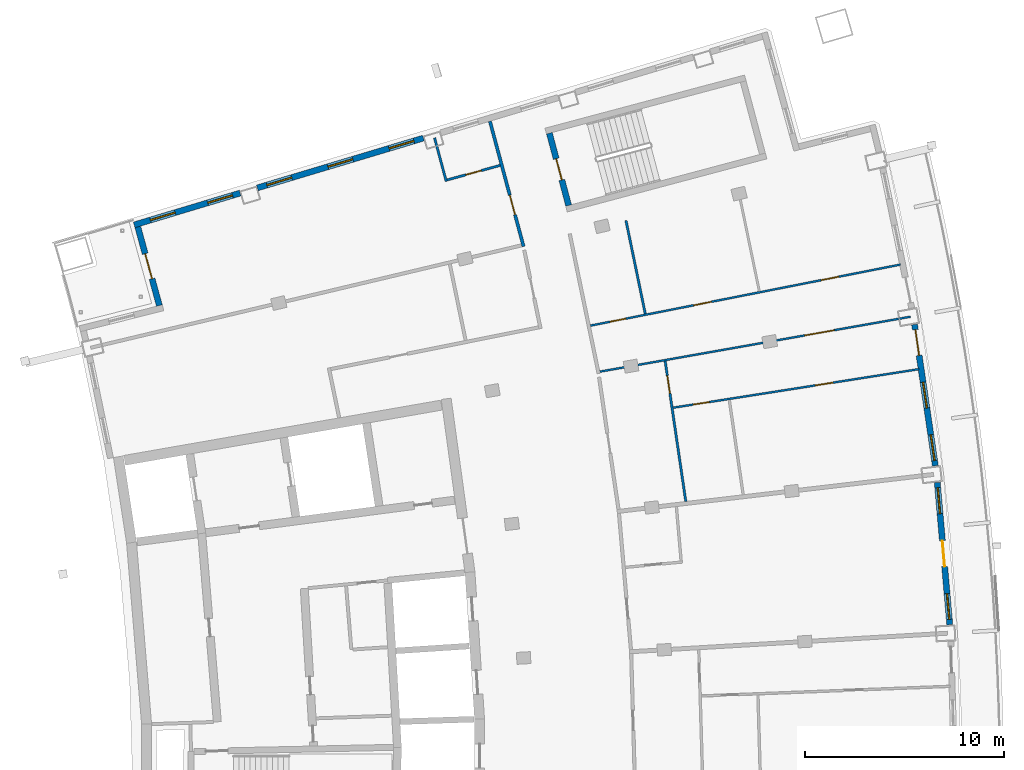
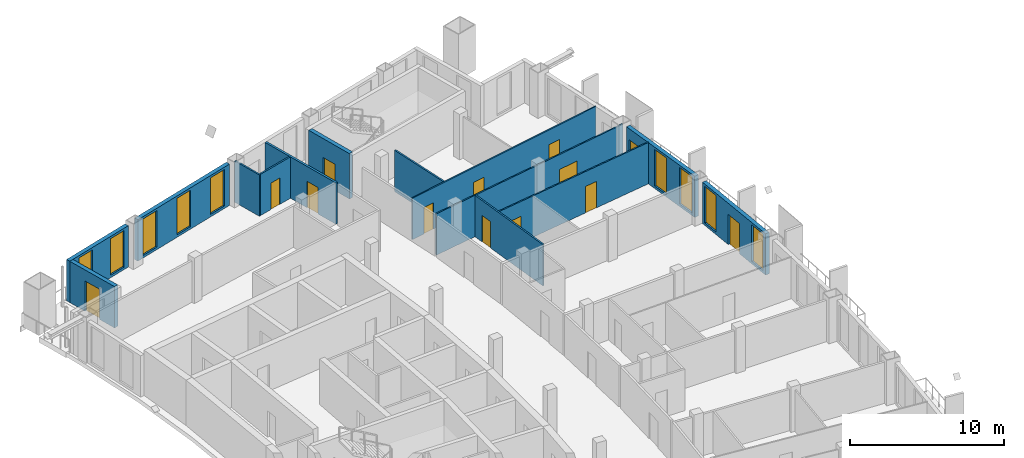
# One storey, part 12 of 15: 14 walls, 13 doors, 9 windows, 22 openings.
"""IFC4 building model written with IfcOpenShell, lengths in metres."""

import ifcopenshell
import ifcopenshell.guid

model = None  # the IFC model being written
_history = None  # IfcOwnerHistory: only IFC2X3 demands one
_inside = {}  # id of a spatial element -> (the spatial element, [elements in it])
_under = {}  # id of a project, library or spatial element -> (it, [spatial elements below it])
_declared = {}  # id of a project -> (the project, [libraries it declares])
_typed = {}  # id of a type object -> (the type object, [elements of that type])
_made_of = {}  # id of a material, layer set ... -> (it, [elements and type objects made of it])


def new_model(schema):
    """Start an empty IFC model of exactly this schema.

    Asked for "IFC4X3", IfcOpenShell would pick the latest addendum, in which some entities
    have other attributes; the version numbers below select the first issue.
    IFC2X3 requires an IfcOwnerHistory on every rooted entity: one is made here for all.
    """
    global model, _history
    if schema == "IFC4X3":
        model = ifcopenshell.file(schema_version=(4, 3, 0, 0))
    else:
        model = ifcopenshell.file(schema=schema)
    _inside.clear()
    _under.clear()
    _declared.clear()
    _typed.clear()
    _made_of.clear()
    _history = None
    if model.schema == "IFC2X3":
        org = make("IfcOrganization", Name="unknown")
        user = make(
            "IfcPersonAndOrganization",
            ThePerson=make("IfcPerson", FamilyName="unknown"),
            TheOrganization=org,
        )
        app = make(
            "IfcApplication",
            ApplicationDeveloper=org,
            Version="unknown",
            ApplicationFullName="unknown",
            ApplicationIdentifier="unknown",
        )
        _history = make(
            "IfcOwnerHistory",
            OwningUser=user,
            OwningApplication=app,
            ChangeAction="ADDED",
            CreationDate=0,
        )
    return model


def make(cls, **values):
    """One entity of the class cls with the attributes given. An attribute that is None is left unset."""
    return model.create_entity(
        cls, **{name: value for name, value in values.items() if value is not None}
    )


def rooted(cls, **values):
    """An entity with a GlobalId (a new one), such as an element, a storey or a relation."""
    return make(cls, GlobalId=ifcopenshell.guid.new(), OwnerHistory=_history, **values)


def si_unit(unit_type, name, prefix=None):
    """IfcSIUnit, for example si_unit("LENGTHUNIT", "METRE", prefix="MILLI")."""
    return make("IfcSIUnit", UnitType=unit_type, Prefix=prefix, Name=name)


def assignment(units):
    """IfcUnitAssignment: the units of a project."""
    return None if units is None else make("IfcUnitAssignment", Units=units)


def point(xyz):
    """IfcCartesianPoint."""
    return None if xyz is None else make("IfcCartesianPoint", Coordinates=xyz)


def direction(xyz):
    """IfcDirection."""
    return None if xyz is None else make("IfcDirection", DirectionRatios=xyz)


def frame(location, z_axis=None, x_axis=None):
    """IfcAxis2Placement3D, a coordinate frame: its origin and axes. An axis left out is left unset."""
    return make(
        "IfcAxis2Placement3D",
        Location=point(location),
        Axis=direction(z_axis),
        RefDirection=direction(x_axis),
    )


def frame_2d(location, x_axis=None):
    """IfcAxis2Placement2D, a coordinate frame in the plane: its origin and x axis."""
    return make(
        "IfcAxis2Placement2D", Location=point(location), RefDirection=direction(x_axis)
    )


def origin():
    """The frame at (0, 0, 0) with its axes left unset."""
    return frame((0.0, 0.0, 0.0))


def place(relative_to, where):
    """IfcLocalPlacement: puts the frame where relative to a parent placement (None: the world)."""
    return make(
        "IfcLocalPlacement", PlacementRelTo=relative_to, RelativePlacement=where
    )


def context(
    kind, dimensions, precision=None, world=None, true_north=None, identifier=None
):
    """IfcGeometricRepresentationContext, for example the 3D "Model" context."""
    return make(
        "IfcGeometricRepresentationContext",
        ContextIdentifier=identifier,
        ContextType=kind,
        CoordinateSpaceDimension=dimensions,
        Precision=precision,
        WorldCoordinateSystem=world,
        TrueNorth=true_north,
    )


def subcontext(parent, identifier, kind, view, scale=None):
    """IfcGeometricRepresentationSubContext, for example "Body" below "Model"."""
    return make(
        "IfcGeometricRepresentationSubContext",
        ContextIdentifier=identifier,
        ContextType=kind,
        ParentContext=parent,
        TargetScale=scale,
        TargetView=view,
    )


def project(units=None, contexts=None):
    """IfcProject with its units and contexts."""
    return rooted(
        "IfcProject",
        Name="project",
        RepresentationContexts=contexts,
        UnitsInContext=assignment(units),
    )


def spatial(cls, under=None, at=None, **own):
    """A site, building, storey or space (cls), placed at a placement, below another one or the project."""
    s = rooted(cls, ObjectPlacement=at, **own)
    if under is not None:
        _under.setdefault(under.id(), (under, []))[1].append(s)
    return s


def profile(cls, at=None, kind="AREA", **sizes):
    """A parametric profile (cls). Its sizes go by their IFC names, for example OverallWidth=200.0."""
    return make(cls, ProfileType=kind, Position=at, **sizes)


def rectangle(**sizes):
    """IfcRectangleProfileDef."""
    return profile("IfcRectangleProfileDef", **sizes)


def extrude(swept, where, along, depth):
    """IfcExtrudedAreaSolid: the profile swept, set in the frame where, extruded along a direction by depth."""
    return make(
        "IfcExtrudedAreaSolid",
        SweptArea=swept,
        Position=where,
        ExtrudedDirection=direction(along),
        Depth=depth,
    )


def shape(context_of_items, identifier, shape_type, items):
    """IfcShapeRepresentation: the items that make up one representation, for example the "Body"."""
    return make(
        "IfcShapeRepresentation",
        ContextOfItems=context_of_items,
        RepresentationIdentifier=identifier,
        RepresentationType=shape_type,
        Items=items,
    )


def material(Name=None, Category=None):
    """IfcMaterial."""
    return make("IfcMaterial", Name=Name, Category=Category)


def layer(
    of_material, thickness, ventilated=None, Name=None, Category=None, Priority=None
):
    """IfcMaterialLayer: one layer of a wall or slab, of a material (None: an air gap)."""
    return make(
        "IfcMaterialLayer",
        Material=of_material,
        LayerThickness=thickness,
        IsVentilated=ventilated,
        Name=Name,
        Category=Category,
        Priority=Priority,
    )


def layer_set(layers, Name=None):
    """IfcMaterialLayerSet."""
    return make("IfcMaterialLayerSet", MaterialLayers=layers, LayerSetName=Name)


def made_of(thing, what):
    """Note that an element or type object is made of a material, layer set ...; save() writes the relation."""
    if what is not None:
        _made_of.setdefault(what.id(), (what, []))[1].append(thing)
    return thing


def type_object(cls, material=None, **own):
    """A type object (cls), such as IfcWallType, which elements share."""
    return made_of(rooted(cls, **own), material)


def element(
    cls,
    number,
    at=None,
    inside=None,
    cuts=None,
    type_object=None,
    material=None,
    context=None,
    identifier="Body",
    shape_type=None,
    held_by="IfcProductDefinitionShape",
    body=None,
    shapes=None,
    **own,
):
    """One element of the class cls, such as IfcWall. Its Tag is "e" and its number.

    at: its placement. inside: the storey or other place that contains it. cuts: it is an
    opening in that element (IfcRelVoidsElement). A single representation is given by context,
    identifier, shape_type and body (its items); several are given by shapes. held_by: the class
    of the entity that holds the representations. save() writes the other relations.
    """
    e = rooted(cls, Tag="e%d" % number, ObjectPlacement=at, **own)
    if body is not None:
        shapes = [shape(context, identifier, shape_type, body)]
    if shapes is not None:
        e.Representation = make(held_by, Representations=shapes)
    if inside is not None:
        _inside.setdefault(inside.id(), (inside, []))[1].append(e)
    if cuts is not None:
        rooted(
            "IfcRelVoidsElement", RelatingBuildingElement=cuts, RelatedOpeningElement=e
        )
    if type_object is not None:
        _typed.setdefault(type_object.id(), (type_object, []))[1].append(e)
    return made_of(e, material)


def fill(opening, filler):
    """IfcRelFillsElement: the door or window that sits in an opening."""
    return rooted(
        "IfcRelFillsElement",
        RelatingOpeningElement=opening,
        RelatedBuildingElement=filler,
    )


def aggregate(whole, parts):
    """IfcRelAggregates: a whole, such as a stair, and the parts it consists of."""
    return rooted("IfcRelAggregates", RelatingObject=whole, RelatedObjects=parts)


def save(model, path):
    """Write the relations noted so far, then the file.

    IfcRelAggregates (storeys below a building ...), IfcRelContainedInSpatialStructure (elements
    in a storey), IfcRelDefinesByType, IfcRelAssociatesMaterial and IfcRelDeclares: one each for
    every whole, place, type object, material and project.
    """
    for whole, parts in _under.values():
        aggregate(whole, parts)
    for where, things in _inside.values():
        rooted(
            "IfcRelContainedInSpatialStructure",
            RelatedElements=things,
            RelatingStructure=where,
        )
    for kind, things in _typed.values():
        rooted("IfcRelDefinesByType", RelatedObjects=things, RelatingType=kind)
    for what, things in _made_of.values():
        rooted("IfcRelAssociatesMaterial", RelatedObjects=things, RelatingMaterial=what)
    for by, libraries in _declared.values():
        rooted("IfcRelDeclares", RelatingContext=by, RelatedDefinitions=libraries)
    model.write(path)


model = new_model("IFC4")

# Units and contexts
model_context = context("Model", 3, precision=1e-05, world=origin(), true_north=direction((0.0, 1.0)))
body_context = subcontext(model_context, "Body", "Model", "MODEL_VIEW")
ifc_project = project(units=[si_unit("LENGTHUNIT", "METRE"), si_unit("AREAUNIT", "SQUARE_METRE"), si_unit("VOLUMEUNIT", "CUBIC_METRE"), si_unit("PLANEANGLEUNIT", "RADIAN"), si_unit("MASSUNIT", "GRAM", prefix="KILO")], contexts=[model_context])

# Site, building, storey
site_placement = place(None, origin())
site = spatial("IfcSite", under=ifc_project, at=site_placement, CompositionType="ELEMENT")
building_placement = place(site_placement, origin())
building = spatial("IfcBuilding", under=site, at=building_placement, Name="Alderwake Tower", CompositionType="ELEMENT")
storey_placement = place(building_placement, frame((0.0, 0.0, 252.800048828125)))
storey = spatial("IfcBuildingStorey", under=building, at=storey_placement, Name="L62", CompositionType="ELEMENT", Elevation=252.800048828125)

# Wall, opening, door
ifc_material_1 = material(Name="Concrete C70/85", Category="concrete")
ifc_layer_1 = layer(ifc_material_1, 0.300048828125)
ifc_layer_set_1 = layer_set([ifc_layer_1], Name="Core wall stair enclosure 300 C70-85")
wall_type_1 = type_object("IfcWallType", Name="Core wall stair enclosure 300 C70-85", PredefinedType="SHEAR", material=ifc_layer_set_1)
wall_1_placement = place(storey_placement, frame((37.8603515625, 90.452392578125, 0.0), z_axis=(0.0, 0.0, 1.0), x_axis=(-0.257411420208, 0.966301899381, 0.0)))
wall_1 = element("IfcWall", 1, at=wall_1_placement, inside=storey, type_object=wall_type_1, Name="Core wall CW.083", PredefinedType="SHEAR", context=body_context, shape_type="SweptSolid", body=[
    extrude(rectangle(XDim=3.750244140625, YDim=0.300048828125, at=frame_2d((1.875, 0.0))), origin(), (0.0, 0.0, 1.0), 3.599853515625),
])
opening_1_placement = place(wall_1_placement, frame((1.324951171875, 0.0, 0.0)))
opening_1 = element("IfcOpeningElement", 2, at=opening_1_placement, cuts=wall_1, Name="Opening C062", PredefinedType="OPENING", context=body_context, shape_type="SweptSolid", body=[
    extrude(rectangle(XDim=1.10009765625, YDim=2.10009765625, at=frame_2d((0.550048828125, 1.050048828125))), frame((0.0, 0.159912109375, 0.0), z_axis=(0.0, -1.0, 0.0), x_axis=(1.0, 0.0, 0.0)), (0.0, 0.0, 1.0), 0.320068359375),
])
ifc_material_2 = material(Name="Steel-framed fire door leaf", Category="steel")
door_type_1 = type_object("IfcDoorType", Name="Core stair door 1100 fire-rated", OperationType="SINGLE_SWING_LEFT", PredefinedType="DOOR", material=ifc_material_2)
door_1_placement = place(opening_1_placement, origin())
door_1 = element("IfcDoor", 3, at=door_1_placement, inside=storey, type_object=door_type_1, Name="Stair door", OperationType="SINGLE_SWING_RIGHT", OverallHeight=2.10009765625, OverallWidth=1.10009765625, PredefinedType="DOOR", context=body_context, shape_type="SweptSolid", body=[
    extrude(rectangle(XDim=1.10009765625, YDim=2.10009765625, at=frame_2d((0.550048828125, 1.050048828125))), frame((0.0, 0.02490234375, 0.0), z_axis=(0.0, -1.0, 0.0), x_axis=(1.0, 0.0, 0.0)), (0.0, 0.0, 1.0), 0.050048828125),
])
fill(opening_1, door_1)

ifc_material_3 = material(Name="Gypsum board on metal studs, rated")
ifc_layer_2 = layer(ifc_material_3, 0.159912109375)
ifc_layer_set_2 = layer_set([ifc_layer_2], Name="Corridor wall 160")
wall_type_2 = type_object("IfcWallType", Name="Corridor wall 160", PredefinedType="PARTITIONING", material=ifc_layer_set_2)
wall_2_placement = place(storey_placement, frame((35.600830078125, 88.392578125, 0.0), z_axis=(0.0, 0.0, 1.0), x_axis=(-0.259509260101, 0.965740619381, 0.0)))
wall_2 = element("IfcWall", 4, at=wall_2_placement, inside=storey, type_object=wall_type_2, Name="WL/L62/W12", PredefinedType="PARTITIONING", context=body_context, shape_type="SweptSolid", body=[
    extrude(rectangle(XDim=6.50732421875, YDim=0.159912109375, at=frame_2d((3.253662109375, 0.0))), origin(), (0.0, 0.0, 1.0), 3.280029296875),
])
opening_2_placement = place(wall_2_placement, frame((1.65771484375, 0.0, 0.0)))
opening_2 = element("IfcOpeningElement", 5, at=opening_2_placement, cuts=wall_2, Name="Opening R17-U09.1", PredefinedType="OPENING", context=body_context, shape_type="SweptSolid", body=[
    extrude(rectangle(XDim=1.0, YDim=2.10009765625, at=frame_2d((0.5, 1.050048828125))), frame((0.0, 0.08984375, 0.0), z_axis=(0.0, -1.0, 0.0), x_axis=(1.0, 0.0, 0.0)), (0.0, 0.0, 1.0), 0.179931640625),
])
ifc_material_4 = material(Name="Solid timber leaf in steel frame", Category="steel")
door_type_2 = type_object("IfcDoorType", Name="Flat entrance door 1000 fire-rated", OperationType="SINGLE_SWING_LEFT", PredefinedType="DOOR", material=ifc_material_4)
door_2_placement = place(opening_2_placement, origin())
door_2 = element("IfcDoor", 6, at=door_2_placement, inside=storey, type_object=door_type_2, Name="DR/L62/U09.1", OperationType="SINGLE_SWING_LEFT", OverallHeight=2.10009765625, OverallWidth=1.0, PredefinedType="DOOR", context=body_context, shape_type="SweptSolid", body=[
    extrude(rectangle(XDim=1.0, YDim=2.10009765625, at=frame_2d((0.5, 1.050048828125))), frame((0.0, 0.02490234375, 0.0), z_axis=(0.0, -1.0, 0.0), x_axis=(1.0, 0.0, 0.0)), (0.0, 0.0, 1.0), 0.050048828125),
])
fill(opening_2, door_2)

# Wall, openings, door, windows
ifc_material_5 = material(Name="Precast concrete C50/60 spandrel panel", Category="concrete")
ifc_layer_3 = layer(ifc_material_5, 0.300048828125)
ifc_layer_set_3 = layer_set([ifc_layer_3], Name="External wall EW1 Precast concrete C50/60 spandrel")
wall_type_3 = type_object("IfcWallType", Name="External wall EW1 Precast concrete C50/60 spandrel", PredefinedType="SOLIDWALL", material=ifc_layer_set_3)
wall_3_placement = place(storey_placement, frame((56.979736328125, 69.421875, 0.0), z_axis=(0.0, 0.0, 1.0), x_axis=(-0.087406300702, 0.99617274536, 0.0)))
wall_3 = element("IfcWall", 7, at=wall_3_placement, inside=storey, type_object=wall_type_3, Name="External wall 17", PredefinedType="SOLIDWALL", context=body_context, shape_type="SweptSolid", body=[
    extrude(rectangle(XDim=7.16162109375, YDim=0.300048828125, at=frame_2d((3.580810546875, 0.0))), origin(), (0.0, 0.0, 1.0), 3.280029296875),
])
opening_3_placement = place(wall_3_placement, frame((0.267333984375, 0.0, 0.199951171875)))
opening_3 = element("IfcOpeningElement", 8, at=opening_3_placement, cuts=wall_3, Name="Opening W1", PredefinedType="OPENING", context=body_context, shape_type="SweptSolid", body=[
    extrude(rectangle(XDim=1.300048828125, YDim=2.89990234375, at=frame_2d((0.64990234375, 1.449951171875))), frame((0.0, 0.159912109375, 0.0), z_axis=(0.0, -1.0, 0.0), x_axis=(1.0, 0.0, 0.0)), (0.0, 0.0, 1.0), 0.320068359375),
])
opening_4_placement = place(wall_3_placement, frame((2.930908203125, 0.0, 0.0)))
opening_4 = element("IfcOpeningElement", 9, at=opening_4_placement, cuts=wall_3, Name="Opening D06", PredefinedType="OPENING", context=body_context, shape_type="SweptSolid", body=[
    extrude(rectangle(XDim=1.300048828125, YDim=2.39990234375, at=frame_2d((0.64990234375, 1.199951171875))), frame((0.0, 0.159912109375, 0.0), z_axis=(0.0, -1.0, 0.0), x_axis=(1.0, 0.0, 0.0)), (0.0, 0.0, 1.0), 0.320068359375),
])
opening_5_placement = place(wall_3_placement, frame((5.594482421875, 0.0, 0.199951171875)))
opening_5 = element("IfcOpeningElement", 10, at=opening_5_placement, cuts=wall_3, Name="Opening W1", PredefinedType="OPENING", context=body_context, shape_type="SweptSolid", body=[
    extrude(rectangle(XDim=1.300048828125, YDim=2.89990234375, at=frame_2d((0.64990234375, 1.449951171875))), frame((0.0, 0.159912109375, 0.0), z_axis=(0.0, -1.0, 0.0), x_axis=(1.0, 0.0, 0.0)), (0.0, 0.0, 1.0), 0.320068359375),
])
ifc_material_6 = material(Name="Bronze tinted glass in aluminium frame", Category="aluminium")
door_type_3 = type_object("IfcDoorType", Name="Balcony door BD sliding", OperationType="SLIDING_TO_LEFT", PredefinedType="DOOR", material=ifc_material_6)
door_3_placement = place(opening_4_placement, origin())
door_3 = element("IfcDoor", 11, at=door_3_placement, inside=storey, type_object=door_type_3, Name="Door D06", OperationType="SLIDING_TO_LEFT", OverallHeight=2.39990234375, OverallWidth=1.300048828125, PredefinedType="DOOR", context=body_context, shape_type="SweptSolid", body=[
    extrude(rectangle(XDim=1.300048828125, YDim=2.39990234375, at=frame_2d((0.64990234375, 1.199951171875))), frame((0.0, 0.02490234375, 0.0), z_axis=(0.0, -1.0, 0.0), x_axis=(1.0, 0.0, 0.0)), (0.0, 0.0, 1.0), 0.050048828125),
])
fill(opening_4, door_3)
ifc_material_7 = material(Name="Bronze tinted glass in aluminium frame", Category="aluminium")
window_type = type_object("IfcWindowType", Name="Window W1 tall fixed and vent", PartitioningType="DOUBLE_PANEL_VERTICAL", PredefinedType="WINDOW", material=ifc_material_7)
window_1_placement = place(opening_3_placement, origin())
window_1 = element("IfcWindow", 12, at=window_1_placement, inside=storey, type_object=window_type, Name="Window W1 tall fixed and vent", OverallHeight=2.89990234375, OverallWidth=1.300048828125, PartitioningType="DOUBLE_PANEL_VERTICAL", PredefinedType="WINDOW", context=body_context, shape_type="SweptSolid", body=[
    extrude(rectangle(XDim=1.300048828125, YDim=2.89990234375, at=frame_2d((0.64990234375, 1.449951171875))), frame((0.0, 0.030029296875, 0.0), z_axis=(0.0, -1.0, 0.0), x_axis=(1.0, 0.0, 0.0)), (0.0, 0.0, 1.0), 0.06005859375),
])
fill(opening_3, window_1)
window_2_placement = place(opening_5_placement, origin())
window_2 = element("IfcWindow", 13, at=window_2_placement, inside=storey, type_object=window_type, Name="Window W1 tall fixed and vent", OverallHeight=2.89990234375, OverallWidth=1.300048828125, PartitioningType="DOUBLE_PANEL_VERTICAL", PredefinedType="WINDOW", context=body_context, shape_type="SweptSolid", body=[
    extrude(rectangle(XDim=1.300048828125, YDim=2.89990234375, at=frame_2d((0.64990234375, 1.449951171875))), frame((0.0, 0.030029296875, 0.0), z_axis=(0.0, -1.0, 0.0), x_axis=(1.0, 0.0, 0.0)), (0.0, 0.0, 1.0), 0.06005859375),
])
fill(opening_5, window_2)

wall_4_placement = place(storey_placement, frame((56.255615234375, 77.393310546875, 0.0), z_axis=(0.0, 0.0, 1.0), x_axis=(-0.145324203969, 0.989384089088, 0.0)))
wall_4 = element("IfcWall", 14, at=wall_4_placement, inside=storey, type_object=wall_type_3, Name="External wall 18", PredefinedType="SOLIDWALL", context=body_context, shape_type="SweptSolid", body=[
    extrude(rectangle(XDim=7.16162109375, YDim=0.300048828125, at=frame_2d((3.580810546875, 0.0))), origin(), (0.0, 0.0, 1.0), 3.280029296875),
])
opening_6_placement = place(wall_4_placement, frame((0.267333984375, 0.0, 0.199951171875)))
opening_6 = element("IfcOpeningElement", 15, at=opening_6_placement, cuts=wall_4, Name="Opening W1", PredefinedType="OPENING", context=body_context, shape_type="SweptSolid", body=[
    extrude(rectangle(XDim=1.300048828125, YDim=2.89990234375, at=frame_2d((0.64990234375, 1.449951171875))), frame((0.0, 0.159912109375, 0.0), z_axis=(0.0, -1.0, 0.0), x_axis=(1.0, 0.0, 0.0)), (0.0, 0.0, 1.0), 0.320068359375),
])
opening_7_placement = place(wall_4_placement, frame((2.930908203125, 0.0, 0.199951171875)))
opening_7 = element("IfcOpeningElement", 16, at=opening_7_placement, cuts=wall_4, Name="Opening W1", PredefinedType="OPENING", context=body_context, shape_type="SweptSolid", body=[
    extrude(rectangle(XDim=1.300048828125, YDim=2.89990234375, at=frame_2d((0.64990234375, 1.449951171875))), frame((0.0, 0.159912109375, 0.0), z_axis=(0.0, -1.0, 0.0), x_axis=(1.0, 0.0, 0.0)), (0.0, 0.0, 1.0), 0.320068359375),
])
opening_8_placement = place(wall_4_placement, frame((5.594482421875, 0.0, 0.0)))
opening_8 = element("IfcOpeningElement", 17, at=opening_8_placement, cuts=wall_4, Name="Opening D07", PredefinedType="OPENING", context=body_context, shape_type="SweptSolid", body=[
    extrude(rectangle(XDim=1.300048828125, YDim=2.39990234375, at=frame_2d((0.64990234375, 1.199951171875))), frame((0.0, 0.159912109375, 0.0), z_axis=(0.0, -1.0, 0.0), x_axis=(1.0, 0.0, 0.0)), (0.0, 0.0, 1.0), 0.320068359375),
])
door_4_placement = place(opening_8_placement, origin())
door_4 = element("IfcDoor", 18, at=door_4_placement, inside=storey, type_object=door_type_3, Name="Door D07", OperationType="SLIDING_TO_LEFT", OverallHeight=2.39990234375, OverallWidth=1.300048828125, PredefinedType="DOOR", context=body_context, shape_type="SweptSolid", body=[
    extrude(rectangle(XDim=1.300048828125, YDim=2.39990234375, at=frame_2d((0.64990234375, 1.199951171875))), frame((0.0, 0.02490234375, 0.0), z_axis=(0.0, -1.0, 0.0), x_axis=(1.0, 0.0, 0.0)), (0.0, 0.0, 1.0), 0.050048828125),
])
fill(opening_8, door_4)
window_3_placement = place(opening_6_placement, origin())
window_3 = element("IfcWindow", 19, at=window_3_placement, inside=storey, type_object=window_type, Name="Window W1 tall fixed and vent", OverallHeight=2.89990234375, OverallWidth=1.300048828125, PartitioningType="DOUBLE_PANEL_VERTICAL", PredefinedType="WINDOW", context=body_context, shape_type="SweptSolid", body=[
    extrude(rectangle(XDim=1.300048828125, YDim=2.89990234375, at=frame_2d((0.64990234375, 1.449951171875))), frame((0.0, 0.030029296875, 0.0), z_axis=(0.0, -1.0, 0.0), x_axis=(1.0, 0.0, 0.0)), (0.0, 0.0, 1.0), 0.06005859375),
])
fill(opening_6, window_3)
window_4_placement = place(opening_7_placement, origin())
window_4 = element("IfcWindow", 20, at=window_4_placement, inside=storey, type_object=window_type, Name="Window W1 tall fixed and vent", OverallHeight=2.89990234375, OverallWidth=1.300048828125, PartitioningType="DOUBLE_PANEL_VERTICAL", PredefinedType="WINDOW", context=body_context, shape_type="SweptSolid", body=[
    extrude(rectangle(XDim=1.300048828125, YDim=2.89990234375, at=frame_2d((0.64990234375, 1.449951171875))), frame((0.0, 0.030029296875, 0.0), z_axis=(0.0, -1.0, 0.0), x_axis=(1.0, 0.0, 0.0)), (0.0, 0.0, 1.0), 0.06005859375),
])
fill(opening_7, window_4)

# Wall, openings, windows
ifc_material_8 = material(Name="Bronze metal cladding on lightweight framing")
ifc_layer_4 = layer(ifc_material_8, 0.300048828125)
ifc_layer_set_4 = layer_set([ifc_layer_4], Name="External wall EW2 bronze metal cladding")
wall_type_4 = type_object("IfcWallType", Name="External wall EW2 bronze metal cladding", PredefinedType="SOLIDWALL", material=ifc_layer_set_4)
wall_5_placement = place(storey_placement, frame((30.57568359375, 93.83251953125, 0.0), z_axis=(0.0, 0.0, 1.0), x_axis=(-0.957762902908, -0.287559075345, 0.0)))
wall_5 = element("IfcWall", 21, at=wall_5_placement, inside=storey, type_object=wall_type_4, Name="External wall 26", PredefinedType="SOLIDWALL", context=body_context, shape_type="SweptSolid", body=[
    extrude(rectangle(XDim=8.696533203125, YDim=0.300048828125, at=frame_2d((4.34814453125, 0.0))), origin(), (0.0, 0.0, 1.0), 3.280029296875),
])
opening_9_placement = place(wall_5_placement, frame((0.498291015625, 0.0, 0.199951171875)))
opening_9 = element("IfcOpeningElement", 22, at=opening_9_placement, cuts=wall_5, Name="Opening W1", PredefinedType="OPENING", context=body_context, shape_type="SweptSolid", body=[
    extrude(rectangle(XDim=1.300048828125, YDim=2.89990234375, at=frame_2d((0.64990234375, 1.449951171875))), frame((0.0, 0.159912109375, 0.0), z_axis=(0.0, -1.0, 0.0), x_axis=(1.0, 0.0, 0.0)), (0.0, 0.0, 1.0), 0.320068359375),
])
opening_10_placement = place(wall_5_placement, frame((3.6982421875, 0.0, 0.199951171875)))
opening_10 = element("IfcOpeningElement", 23, at=opening_10_placement, cuts=wall_5, Name="Opening W1", PredefinedType="OPENING", context=body_context, shape_type="SweptSolid", body=[
    extrude(rectangle(XDim=1.300048828125, YDim=2.89990234375, at=frame_2d((0.64990234375, 1.449951171875))), frame((0.0, 0.159912109375, 0.0), z_axis=(0.0, -1.0, 0.0), x_axis=(1.0, 0.0, 0.0)), (0.0, 0.0, 1.0), 0.320068359375),
])
opening_11_placement = place(wall_5_placement, frame((6.898193359375, 0.0, 0.199951171875)))
opening_11 = element("IfcOpeningElement", 24, at=opening_11_placement, cuts=wall_5, Name="Opening W1", PredefinedType="OPENING", context=body_context, shape_type="SweptSolid", body=[
    extrude(rectangle(XDim=1.300048828125, YDim=2.89990234375, at=frame_2d((0.64990234375, 1.449951171875))), frame((0.0, 0.159912109375, 0.0), z_axis=(0.0, -1.0, 0.0), x_axis=(1.0, 0.0, 0.0)), (0.0, 0.0, 1.0), 0.320068359375),
])
window_5_placement = place(opening_9_placement, origin())
window_5 = element("IfcWindow", 25, at=window_5_placement, inside=storey, type_object=window_type, Name="Window W1 tall fixed and vent", OverallHeight=2.89990234375, OverallWidth=1.300048828125, PartitioningType="DOUBLE_PANEL_VERTICAL", PredefinedType="WINDOW", context=body_context, shape_type="SweptSolid", body=[
    extrude(rectangle(XDim=1.300048828125, YDim=2.89990234375, at=frame_2d((0.64990234375, 1.449951171875))), frame((0.0, 0.030029296875, 0.0), z_axis=(0.0, -1.0, 0.0), x_axis=(1.0, 0.0, 0.0)), (0.0, 0.0, 1.0), 0.06005859375),
])
fill(opening_9, window_5)
window_6_placement = place(opening_10_placement, origin())
window_6 = element("IfcWindow", 26, at=window_6_placement, inside=storey, type_object=window_type, Name="Window W1 tall fixed and vent", OverallHeight=2.89990234375, OverallWidth=1.300048828125, PartitioningType="DOUBLE_PANEL_VERTICAL", PredefinedType="WINDOW", context=body_context, shape_type="SweptSolid", body=[
    extrude(rectangle(XDim=1.300048828125, YDim=2.89990234375, at=frame_2d((0.64990234375, 1.449951171875))), frame((0.0, 0.030029296875, 0.0), z_axis=(0.0, -1.0, 0.0), x_axis=(1.0, 0.0, 0.0)), (0.0, 0.0, 1.0), 0.06005859375),
])
fill(opening_10, window_6)
window_7_placement = place(opening_11_placement, origin())
window_7 = element("IfcWindow", 27, at=window_7_placement, inside=storey, type_object=window_type, Name="Window W1 tall fixed and vent", OverallHeight=2.89990234375, OverallWidth=1.300048828125, PartitioningType="DOUBLE_PANEL_VERTICAL", PredefinedType="WINDOW", context=body_context, shape_type="SweptSolid", body=[
    extrude(rectangle(XDim=1.300048828125, YDim=2.89990234375, at=frame_2d((0.64990234375, 1.449951171875))), frame((0.0, 0.030029296875, 0.0), z_axis=(0.0, -1.0, 0.0), x_axis=(1.0, 0.0, 0.0)), (0.0, 0.0, 1.0), 0.06005859375),
])
fill(opening_11, window_7)

wall_6_placement = place(storey_placement, frame((21.380859375, 91.072021484375, 0.0), z_axis=(0.0, 0.0, 1.0), x_axis=(-0.957769358194, -0.287537574074, 0.0)))
wall_6 = element("IfcWall", 28, at=wall_6_placement, inside=storey, type_object=wall_type_4, Name="External wall 27", PredefinedType="SOLIDWALL", context=body_context, shape_type="SweptSolid", body=[
    extrude(rectangle(XDim=5.549560546875, YDim=0.300048828125, at=frame_2d((2.77490234375, 0.0))), origin(), (0.0, 0.0, 1.0), 3.280029296875),
])
opening_12_placement = place(wall_6_placement, frame((0.3984375, 0.0, 0.199951171875)))
opening_12 = element("IfcOpeningElement", 29, at=opening_12_placement, cuts=wall_6, Name="Opening W1", PredefinedType="OPENING", context=body_context, shape_type="SweptSolid", body=[
    extrude(rectangle(XDim=1.300048828125, YDim=2.89990234375, at=frame_2d((0.64990234375, 1.449951171875))), frame((0.0, 0.159912109375, 0.0), z_axis=(0.0, -1.0, 0.0), x_axis=(1.0, 0.0, 0.0)), (0.0, 0.0, 1.0), 0.320068359375),
])
opening_13_placement = place(wall_6_placement, frame((3.399169921875, 0.0, 0.199951171875)))
opening_13 = element("IfcOpeningElement", 30, at=opening_13_placement, cuts=wall_6, Name="Opening W1", PredefinedType="OPENING", context=body_context, shape_type="SweptSolid", body=[
    extrude(rectangle(XDim=1.300048828125, YDim=2.89990234375, at=frame_2d((0.64990234375, 1.449951171875))), frame((0.0, 0.159912109375, 0.0), z_axis=(0.0, -1.0, 0.0), x_axis=(1.0, 0.0, 0.0)), (0.0, 0.0, 1.0), 0.320068359375),
])
window_8_placement = place(opening_12_placement, origin())
window_8 = element("IfcWindow", 31, at=window_8_placement, inside=storey, type_object=window_type, Name="Window W1 tall fixed and vent", OverallHeight=2.89990234375, OverallWidth=1.300048828125, PartitioningType="DOUBLE_PANEL_VERTICAL", PredefinedType="WINDOW", context=body_context, shape_type="SweptSolid", body=[
    extrude(rectangle(XDim=1.300048828125, YDim=2.89990234375, at=frame_2d((0.64990234375, 1.449951171875))), frame((0.0, 0.030029296875, 0.0), z_axis=(0.0, -1.0, 0.0), x_axis=(1.0, 0.0, 0.0)), (0.0, 0.0, 1.0), 0.06005859375),
])
fill(opening_12, window_8)
window_9_placement = place(opening_13_placement, origin())
window_9 = element("IfcWindow", 32, at=window_9_placement, inside=storey, type_object=window_type, Name="Window W1 tall fixed and vent", OverallHeight=2.89990234375, OverallWidth=1.300048828125, PartitioningType="DOUBLE_PANEL_VERTICAL", PredefinedType="WINDOW", context=body_context, shape_type="SweptSolid", body=[
    extrude(rectangle(XDim=1.300048828125, YDim=2.89990234375, at=frame_2d((0.64990234375, 1.449951171875))), frame((0.0, 0.030029296875, 0.0), z_axis=(0.0, -1.0, 0.0), x_axis=(1.0, 0.0, 0.0)), (0.0, 0.0, 1.0), 0.06005859375),
])
fill(opening_13, window_9)

# Wall, opening, door
wall_7_placement = place(storey_placement, frame((16.248779296875, 89.374755859375, 0.0), z_axis=(0.0, 0.0, 1.0), x_axis=(0.264607053468, -0.964356317579, 0.0)))
wall_7 = element("IfcWall", 33, at=wall_7_placement, inside=storey, type_object=wall_type_4, Name="External wall 28", PredefinedType="SOLIDWALL", context=body_context, shape_type="SweptSolid", body=[
    extrude(rectangle(XDim=4.090087890625, YDim=0.300048828125, at=frame_2d((2.044921875, 0.0))), origin(), (0.0, 0.0, 1.0), 3.280029296875),
])
opening_14_placement = place(wall_7_placement, frame((1.39501953125, 0.0, 0.0)))
opening_14 = element("IfcOpeningElement", 34, at=opening_14_placement, cuts=wall_7, Name="Opening D09", PredefinedType="OPENING", context=body_context, shape_type="SweptSolid", body=[
    extrude(rectangle(XDim=1.300048828125, YDim=2.39990234375, at=frame_2d((0.64990234375, 1.199951171875))), frame((0.0, 0.159912109375, 0.0), z_axis=(0.0, -1.0, 0.0), x_axis=(1.0, 0.0, 0.0)), (0.0, 0.0, 1.0), 0.320068359375),
])
door_5_placement = place(opening_14_placement, origin())
door_5 = element("IfcDoor", 35, at=door_5_placement, inside=storey, type_object=door_type_3, Name="Door D09", OperationType="SLIDING_TO_LEFT", OverallHeight=2.39990234375, OverallWidth=1.300048828125, PredefinedType="DOOR", context=body_context, shape_type="SweptSolid", body=[
    extrude(rectangle(XDim=1.300048828125, YDim=2.39990234375, at=frame_2d((0.64990234375, 1.199951171875))), frame((0.0, 0.02490234375, 0.0), z_axis=(0.0, -1.0, 0.0), x_axis=(1.0, 0.0, 0.0)), (0.0, 0.0, 1.0), 0.050048828125),
])
fill(opening_14, door_5)

# Wall, openings, doors
ifc_material_9 = material(Name="Gypsum board on metal studs")
ifc_layer_5 = layer(ifc_material_9, 0.10009765625)
ifc_layer_set_5 = layer_set([ifc_layer_5], Name="Unit partition 100")
wall_type_5 = type_object("IfcWallType", Name="Unit partition 100", PredefinedType="PARTITIONING", material=ifc_layer_set_5)
wall_8_placement = place(storey_placement, frame((38.949462890625, 84.423583984375, 0.0), z_axis=(0.0, 0.0, 1.0), x_axis=(0.981149511114, 0.193250192344, 0.0)))
wall_8 = element("IfcWall", 36, at=wall_8_placement, inside=storey, type_object=wall_type_5, Name="WL/L62/W44", PredefinedType="PARTITIONING", context=body_context, shape_type="SweptSolid", body=[
    extrude(rectangle(XDim=15.862548828125, YDim=0.10009765625, at=frame_2d((7.93115234375, 0.0))), origin(), (0.0, 0.0, 1.0), 3.280029296875),
])
opening_15_placement = place(wall_8_placement, frame((5.2841796875, 0.0, 0.0)))
opening_15 = element("IfcOpeningElement", 37, at=opening_15_placement, cuts=wall_8, Name="Opening R17-U07.5", PredefinedType="OPENING", context=body_context, shape_type="SweptSolid", body=[
    extrude(rectangle(XDim=0.89990234375, YDim=2.10009765625, at=frame_2d((0.449951171875, 1.050048828125))), frame((0.0, 0.06005859375, 0.0), z_axis=(0.0, -1.0, 0.0), x_axis=(1.0, 0.0, 0.0)), (0.0, 0.0, 1.0), 0.1201171875),
])
opening_16_placement = place(wall_8_placement, frame((1.009521484375, 0.0, 0.0)))
opening_16 = element("IfcOpeningElement", 38, at=opening_16_placement, cuts=wall_8, Name="Opening R17-U07.6", PredefinedType="OPENING", context=body_context, shape_type="SweptSolid", body=[
    extrude(rectangle(XDim=0.800048828125, YDim=2.10009765625, at=frame_2d((0.39990234375, 1.050048828125))), frame((0.0, 0.06005859375, 0.0), z_axis=(0.0, -1.0, 0.0), x_axis=(1.0, 0.0, 0.0)), (0.0, 0.0, 1.0), 0.1201171875),
])
opening_17_placement = place(wall_8_placement, frame((11.805908203125, 0.0, 0.0)))
opening_17 = element("IfcOpeningElement", 39, at=opening_17_placement, cuts=wall_8, Name="Opening R17-U07.7", PredefinedType="OPENING", context=body_context, shape_type="SweptSolid", body=[
    extrude(rectangle(XDim=0.89990234375, YDim=2.10009765625, at=frame_2d((0.449951171875, 1.050048828125))), frame((0.0, 0.06005859375, 0.0), z_axis=(0.0, -1.0, 0.0), x_axis=(1.0, 0.0, 0.0)), (0.0, 0.0, 1.0), 0.1201171875),
])
ifc_material_10 = material(Name="Painted timber leaf", Category="wood")
door_type_4 = type_object("IfcDoorType", Name="Bathroom door 800", OperationType="SINGLE_SWING_LEFT", PredefinedType="DOOR", material=ifc_material_10)
door_6_placement = place(opening_16_placement, origin())
door_6 = element("IfcDoor", 40, at=door_6_placement, inside=storey, type_object=door_type_4, Name="DR/L62/U07.6", OperationType="SINGLE_SWING_LEFT", OverallHeight=2.10009765625, OverallWidth=0.800048828125, PredefinedType="DOOR", context=body_context, shape_type="SweptSolid", body=[
    extrude(rectangle(XDim=0.800048828125, YDim=2.10009765625, at=frame_2d((0.39990234375, 1.050048828125))), frame((0.0, 0.02490234375, 0.0), z_axis=(0.0, -1.0, 0.0), x_axis=(1.0, 0.0, 0.0)), (0.0, 0.0, 1.0), 0.050048828125),
])
fill(opening_16, door_6)
ifc_material_11 = material(Name="Painted timber leaf", Category="wood")
door_type_5 = type_object("IfcDoorType", Name="Room door 900", OperationType="SINGLE_SWING_LEFT", PredefinedType="DOOR", material=ifc_material_11)
door_7_placement = place(opening_15_placement, origin())
door_7 = element("IfcDoor", 41, at=door_7_placement, inside=storey, type_object=door_type_5, Name="DR/L62/U07.5", OperationType="SINGLE_SWING_LEFT", OverallHeight=2.10009765625, OverallWidth=0.89990234375, PredefinedType="DOOR", context=body_context, shape_type="SweptSolid", body=[
    extrude(rectangle(XDim=0.89990234375, YDim=2.10009765625, at=frame_2d((0.449951171875, 1.050048828125))), frame((0.0, 0.02490234375, 0.0), z_axis=(0.0, -1.0, 0.0), x_axis=(1.0, 0.0, 0.0)), (0.0, 0.0, 1.0), 0.050048828125),
])
fill(opening_15, door_7)
door_8_placement = place(opening_17_placement, origin())
door_8 = element("IfcDoor", 42, at=door_8_placement, inside=storey, type_object=door_type_5, Name="DR/L62/U07.7", OperationType="SINGLE_SWING_LEFT", OverallHeight=2.10009765625, OverallWidth=0.89990234375, PredefinedType="DOOR", context=body_context, shape_type="SweptSolid", body=[
    extrude(rectangle(XDim=0.89990234375, YDim=2.10009765625, at=frame_2d((0.449951171875, 1.050048828125))), frame((0.0, 0.02490234375, 0.0), z_axis=(0.0, -1.0, 0.0), x_axis=(1.0, 0.0, 0.0)), (0.0, 0.0, 1.0), 0.050048828125),
])
fill(opening_17, door_8)

# Wall, opening, door
wall_9_placement = place(storey_placement, frame((39.4267578125, 82.114990234375, 0.0), z_axis=(0.0, 0.0, 1.0), x_axis=(0.984718082125, 0.174155960957, 0.0)))
wall_9 = element("IfcWall", 43, at=wall_9_placement, inside=storey, type_object=wall_type_5, Name="WL/L62/W45", PredefinedType="PARTITIONING", context=body_context, shape_type="SweptSolid", body=[
    extrude(rectangle(XDim=15.81982421875, YDim=0.10009765625, at=frame_2d((7.909912109375, 0.0))), origin(), (0.0, 0.0, 1.0), 3.280029296875),
])
opening_18_placement = place(wall_9_placement, frame((10.43408203125, 0.0, 0.0)))
opening_18 = element("IfcOpeningElement", 44, at=opening_18_placement, cuts=wall_9, Name="Opening R17-U07.8", PredefinedType="OPENING", context=body_context, shape_type="SweptSolid", body=[
    extrude(rectangle(XDim=1.5, YDim=2.10009765625, at=frame_2d((0.75, 1.050048828125))), frame((0.0, 0.06005859375, 0.0), z_axis=(0.0, -1.0, 0.0), x_axis=(1.0, 0.0, 0.0)), (0.0, 0.0, 1.0), 0.1201171875),
])
ifc_material_12 = material(Name="Painted timber leaves", Category="wood")
door_type_6 = type_object("IfcDoorType", Name="Double leaf door 1500", OperationType="DOUBLE_DOOR_SINGLE_SWING", PredefinedType="DOOR", material=ifc_material_12)
door_9_placement = place(opening_18_placement, origin())
door_9 = element("IfcDoor", 45, at=door_9_placement, inside=storey, type_object=door_type_6, Name="DR/L62/U07.8", OperationType="DOUBLE_DOOR_SINGLE_SWING", OverallHeight=2.10009765625, OverallWidth=1.5, PredefinedType="DOOR", context=body_context, shape_type="SweptSolid", body=[
    extrude(rectangle(XDim=1.5, YDim=2.10009765625, at=frame_2d((0.75, 1.050048828125))), frame((0.0, 0.02490234375, 0.0), z_axis=(0.0, -1.0, 0.0), x_axis=(1.0, 0.0, 0.0)), (0.0, 0.0, 1.0), 0.050048828125),
])
fill(opening_18, door_9)

# Wall, openings, doors
wall_10_placement = place(storey_placement, frame((55.43994140625, 82.241943359375, 0.0), z_axis=(0.0, 0.0, 1.0), x_axis=(-0.98791506343, -0.154996217531, 0.0)))
wall_10 = element("IfcWall", 46, at=wall_10_placement, inside=storey, type_object=wall_type_5, Name="WL/L62/W49", PredefinedType="PARTITIONING", context=body_context, shape_type="SweptSolid", body=[
    extrude(rectangle(XDim=12.4814453125, YDim=0.10009765625, at=frame_2d((6.24072265625, 0.0))), origin(), (0.0, 0.0, 1.0), 3.280029296875),
])
opening_19_placement = place(wall_10_placement, frame((10.66259765625, 0.0, 0.0)))
opening_19 = element("IfcOpeningElement", 47, at=opening_19_placement, cuts=wall_10, Name="Opening R17-U07.3", PredefinedType="OPENING", context=body_context, shape_type="SweptSolid", body=[
    extrude(rectangle(XDim=0.800048828125, YDim=2.10009765625, at=frame_2d((0.39990234375, 1.050048828125))), frame((0.0, 0.06005859375, 0.0), z_axis=(0.0, -1.0, 0.0), x_axis=(1.0, 0.0, 0.0)), (0.0, 0.0, 1.0), 0.1201171875),
])
opening_20_placement = place(wall_10_placement, frame((4.371826171875, 0.0, 0.0)))
opening_20 = element("IfcOpeningElement", 48, at=opening_20_placement, cuts=wall_10, Name="Opening R17-U07.4", PredefinedType="OPENING", context=body_context, shape_type="SweptSolid", body=[
    extrude(rectangle(XDim=0.89990234375, YDim=2.10009765625, at=frame_2d((0.449951171875, 1.050048828125))), frame((0.0, 0.06005859375, 0.0), z_axis=(0.0, -1.0, 0.0), x_axis=(1.0, 0.0, 0.0)), (0.0, 0.0, 1.0), 0.1201171875),
])
door_10_placement = place(opening_19_placement, origin())
door_10 = element("IfcDoor", 49, at=door_10_placement, inside=storey, type_object=door_type_4, Name="DR/L62/U07.3", OperationType="SINGLE_SWING_LEFT", OverallHeight=2.10009765625, OverallWidth=0.800048828125, PredefinedType="DOOR", context=body_context, shape_type="SweptSolid", body=[
    extrude(rectangle(XDim=0.800048828125, YDim=2.10009765625, at=frame_2d((0.39990234375, 1.050048828125))), frame((0.0, 0.02490234375, 0.0), z_axis=(0.0, -1.0, 0.0), x_axis=(1.0, 0.0, 0.0)), (0.0, 0.0, 1.0), 0.050048828125),
])
fill(opening_19, door_10)
door_11_placement = place(opening_20_placement, origin())
door_11 = element("IfcDoor", 50, at=door_11_placement, inside=storey, type_object=door_type_5, Name="DR/L62/U07.4", OperationType="SINGLE_SWING_LEFT", OverallHeight=2.10009765625, OverallWidth=0.89990234375, PredefinedType="DOOR", context=body_context, shape_type="SweptSolid", body=[
    extrude(rectangle(XDim=0.89990234375, YDim=2.10009765625, at=frame_2d((0.449951171875, 1.050048828125))), frame((0.0, 0.02490234375, 0.0), z_axis=(0.0, -1.0, 0.0), x_axis=(1.0, 0.0, 0.0)), (0.0, 0.0, 1.0), 0.050048828125),
])
fill(opening_20, door_11)

# Wall
ifc_material_13 = material(Name="Moisture resistant gypsum board on metal studs")
ifc_layer_6 = layer(ifc_material_13, 0.1201171875)
ifc_layer_set_6 = layer_set([ifc_layer_6], Name="Wet room partition 120")
wall_type_6 = type_object("IfcWallType", Name="Wet room partition 120", PredefinedType="PARTITIONING", material=ifc_layer_set_6)
wall_11_placement = place(storey_placement, frame((31.134033203125, 93.843017578125, 0.0), z_axis=(0.0, 0.0, 1.0), x_axis=(0.260139854323, -0.965570948296, 0.0)))
element("IfcWall", 51, at=wall_11_placement, inside=storey, type_object=wall_type_6, Name="WL/L62/W28", PredefinedType="PARTITIONING", context=body_context, shape_type="SweptSolid", body=[
    extrude(rectangle(XDim=2.2626953125, YDim=0.1201171875, at=frame_2d((1.13134765625, 0.0))), origin(), (0.0, 0.0, 1.0), 3.280029296875),
])

# Wall, opening, door
wall_12_placement = place(storey_placement, frame((31.764892578125, 91.73193359375, 0.0), z_axis=(0.0, 0.0, 1.0), x_axis=(0.964278304966, 0.264891205163, 0.0)))
wall_12 = element("IfcWall", 52, at=wall_12_placement, inside=storey, type_object=wall_type_6, Name="WL/L62/W30", PredefinedType="PARTITIONING", context=body_context, shape_type="SweptSolid", body=[
    extrude(rectangle(XDim=2.759521484375, YDim=0.1201171875, at=frame_2d((1.3798828125, 0.0))), origin(), (0.0, 0.0, 1.0), 3.280029296875),
])
opening_21_placement = place(wall_12_placement, frame((0.979736328125, 0.0, 0.0)))
opening_21 = element("IfcOpeningElement", 53, at=opening_21_placement, cuts=wall_12, Name="Opening R17-U09.2", PredefinedType="OPENING", context=body_context, shape_type="SweptSolid", body=[
    extrude(rectangle(XDim=0.800048828125, YDim=2.10009765625, at=frame_2d((0.39990234375, 1.050048828125))), frame((0.0, 0.070068359375, 0.0), z_axis=(0.0, -1.0, 0.0), x_axis=(1.0, 0.0, 0.0)), (0.0, 0.0, 1.0), 0.14013671875),
])
door_12_placement = place(opening_21_placement, origin())
door_12 = element("IfcDoor", 54, at=door_12_placement, inside=storey, type_object=door_type_4, Name="DR/L62/U09.2", OperationType="SINGLE_SWING_LEFT", OverallHeight=2.10009765625, OverallWidth=0.800048828125, PredefinedType="DOOR", context=body_context, shape_type="SweptSolid", body=[
    extrude(rectangle(XDim=0.800048828125, YDim=2.10009765625, at=frame_2d((0.39990234375, 1.050048828125))), frame((0.0, 0.02490234375, 0.0), z_axis=(0.0, -1.0, 0.0), x_axis=(1.0, 0.0, 0.0)), (0.0, 0.0, 1.0), 0.050048828125),
])
fill(opening_21, door_12)

# Wall
wall_13_placement = place(storey_placement, frame((41.704833984375, 85.01806640625, 0.0), z_axis=(0.0, 0.0, 1.0), x_axis=(-0.202669848328, 0.979247125387, 0.0)))
element("IfcWall", 55, at=wall_13_placement, inside=storey, type_object=wall_type_6, Name="WL/L62/W34", PredefinedType="PARTITIONING", context=body_context, shape_type="SweptSolid", body=[
    extrude(rectangle(XDim=4.775146484375, YDim=0.1201171875, at=frame_2d((2.3876953125, 0.0))), origin(), (0.0, 0.0, 1.0), 3.280029296875),
])

# Wall, opening, door
wall_14_placement = place(storey_placement, frame((42.703369140625, 82.6455078125, 0.0), z_axis=(0.0, 0.0, 1.0), x_axis=(0.145290574876, -0.989389028063, 0.0)))
wall_14 = element("IfcWall", 56, at=wall_14_placement, inside=storey, type_object=wall_type_6, Name="WL/L62/W36", PredefinedType="PARTITIONING", context=body_context, shape_type="SweptSolid", body=[
    extrude(rectangle(XDim=7.117919921875, YDim=0.1201171875, at=frame_2d((3.55908203125, 0.0))), origin(), (0.0, 0.0, 1.0), 3.280029296875),
])
opening_22_placement = place(wall_14_placement, frame((0.73681640625, 0.0, 0.0)))
opening_22 = element("IfcOpeningElement", 57, at=opening_22_placement, cuts=wall_14, Name="Opening R17-U07.2", PredefinedType="OPENING", context=body_context, shape_type="SweptSolid", body=[
    extrude(rectangle(XDim=0.89990234375, YDim=2.10009765625, at=frame_2d((0.449951171875, 1.050048828125))), frame((0.0, 0.070068359375, 0.0), z_axis=(0.0, -1.0, 0.0), x_axis=(1.0, 0.0, 0.0)), (0.0, 0.0, 1.0), 0.14013671875),
])
door_13_placement = place(opening_22_placement, origin())
door_13 = element("IfcDoor", 58, at=door_13_placement, inside=storey, type_object=door_type_5, Name="DR/L62/U07.2", OperationType="SINGLE_SWING_LEFT", OverallHeight=2.10009765625, OverallWidth=0.89990234375, PredefinedType="DOOR", context=body_context, shape_type="SweptSolid", body=[
    extrude(rectangle(XDim=0.89990234375, YDim=2.10009765625, at=frame_2d((0.449951171875, 1.050048828125))), frame((0.0, 0.02490234375, 0.0), z_axis=(0.0, -1.0, 0.0), x_axis=(1.0, 0.0, 0.0)), (0.0, 0.0, 1.0), 0.050048828125),
])
fill(opening_22, door_13)

save(model, "model.ifc")
